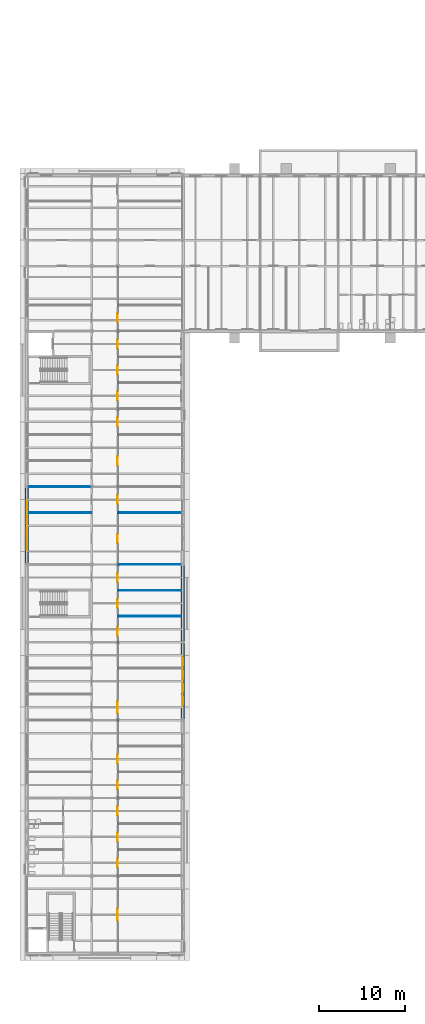
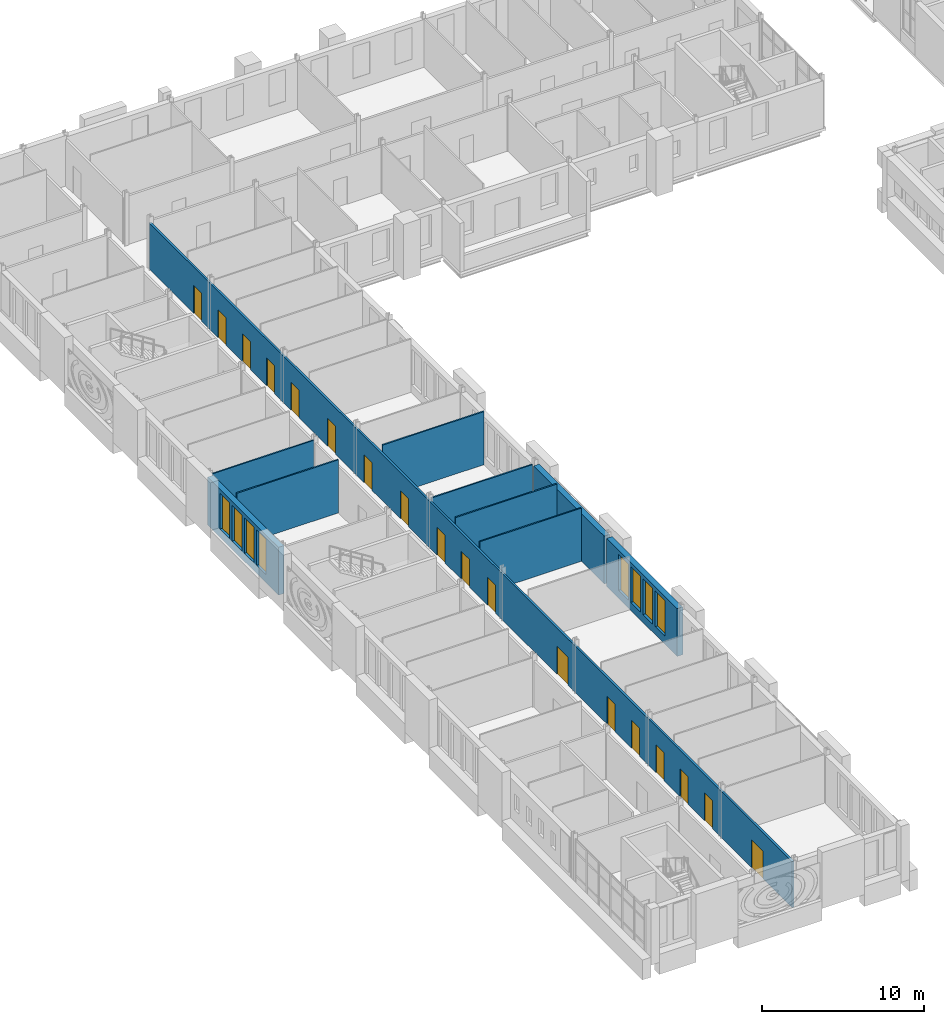
# One storey, part 102 of 154: 18 doors, 10 walls, 8 windows, 26 openings.
"""IFC4 building model written with IfcOpenShell, lengths in metres."""

from ifc_helpers import new_model, si_unit, direction, frame, frame_2d, origin, place, context, subcontext, project, spatial, rectangle, extrude, material, layer, layer_set, type_object, element, fill, save


model = new_model("IFC4")

# Units and contexts
model_context = context("Model", 3, precision=1e-05, world=origin(), true_north=direction((0.0, 1.0)))
body_context = subcontext(model_context, "Body", "Model", "MODEL_VIEW")
ifc_project = project(units=[si_unit("LENGTHUNIT", "METRE"), si_unit("AREAUNIT", "SQUARE_METRE"), si_unit("VOLUMEUNIT", "CUBIC_METRE"), si_unit("PLANEANGLEUNIT", "RADIAN"), si_unit("MASSUNIT", "GRAM", prefix="KILO")], contexts=[model_context])

# Site, building, storey
site_placement = place(None, origin())
site = spatial("IfcSite", under=ifc_project, at=site_placement, CompositionType="ELEMENT")
building_placement = place(site_placement, origin())
building = spatial("IfcBuilding", under=site, at=building_placement, Name="Golden Quay Civic Hall", CompositionType="ELEMENT")
storey_placement = place(building_placement, frame((0.0, 0.0, 14.39990234375)))
storey = spatial("IfcBuildingStorey", under=building, at=storey_placement, Name="L03", CompositionType="ELEMENT", Elevation=14.39990234375)

# Walls
ifc_material_1 = material(Name="Plasterboard on steel studs", Category="steel")
ifc_layer_1 = layer(ifc_material_1, 0.10009765625)
ifc_layer_set_1 = layer_set([ifc_layer_1], Name="Partition 100 stud")
wall_type_1 = type_object("IfcWallType", Name="Partition 100 stud", PredefinedType="PARTITIONING", material=ifc_layer_set_1)
wall_1_placement = place(storey_placement, frame((0.199951171875, 42.0, 0.0), z_axis=(0.0, 0.0, 1.0), x_axis=(1.0, 0.0, 0.0)))
element("IfcWall", 1, at=wall_1_placement, inside=storey, type_object=wall_type_1, Name="Partition L03-007", PredefinedType="PARTITIONING", context=body_context, shape_type="SweptSolid", body=[
    extrude(rectangle(XDim=7.22509765625, YDim=0.10009765625, at=frame_2d((3.612548828125, 0.0))), origin(), (0.0, 0.0, 1.0), 4.0),
])
wall_2_placement = place(storey_placement, frame((0.199951171875, 45.0, 0.0), z_axis=(0.0, 0.0, 1.0), x_axis=(1.0, 0.0, 0.0)))
element("IfcWall", 2, at=wall_2_placement, inside=storey, type_object=wall_type_1, Name="Partition L03-008", PredefinedType="PARTITIONING", context=body_context, shape_type="SweptSolid", body=[
    extrude(rectangle(XDim=7.22509765625, YDim=0.10009765625, at=frame_2d((3.612548828125, 0.0))), origin(), (0.0, 0.0, 1.0), 3.650146484375),
])
for number, where, z_axis, x_axis, name in (
    (3, (10.574951171875, 30.0, 0.0), (0.0, 0.0, 1.0), (1.0, 0.0, 0.0), "Partition L03-019"),
    (4, (10.574951171875, 33.0, 0.0), (0.0, 0.0, 1.0), (1.0, 0.0, 0.0), "Partition L03-020"),
):
    element("IfcWall", number, at=place(storey_placement, frame(where, z_axis=z_axis, x_axis=x_axis)), inside=storey, type_object=wall_type_1, Name=name, PredefinedType="PARTITIONING", context=body_context, shape_type="SweptSolid", body=[
        extrude(rectangle(XDim=7.22509765625, YDim=0.10009765625, at=frame_2d((3.612548828125, 0.0))), origin(), (0.0, 0.0, 1.0), 4.0),
    ])
wall_3_placement = place(storey_placement, frame((10.574951171875, 36.0, 0.0), z_axis=(0.0, 0.0, 1.0), x_axis=(1.0, 0.0, 0.0)))
element("IfcWall", 5, at=wall_3_placement, inside=storey, type_object=wall_type_1, Name="Partition L03-021", PredefinedType="PARTITIONING", context=body_context, shape_type="SweptSolid", body=[
    extrude(rectangle(XDim=7.22509765625, YDim=0.10009765625, at=frame_2d((3.612548828125, 0.0))), origin(), (0.0, 0.0, 1.0), 3.650146484375),
])
wall_4_placement = place(storey_placement, frame((10.574951171875, 42.0, 0.0), z_axis=(0.0, 0.0, 1.0), x_axis=(1.0, 0.0, 0.0)))
element("IfcWall", 6, at=wall_4_placement, inside=storey, type_object=wall_type_1, Name="Partition L03-022", PredefinedType="PARTITIONING", context=body_context, shape_type="SweptSolid", body=[
    extrude(rectangle(XDim=7.22509765625, YDim=0.10009765625, at=frame_2d((3.612548828125, 0.0))), origin(), (0.0, 0.0, 1.0), 4.0),
])

# Wall, openings, doors
ifc_material_2 = material(Name="Plasterboard on steel studs", Category="steel")
ifc_layer_2 = layer(ifc_material_2, 0.14990234375)
ifc_layer_set_2 = layer_set([ifc_layer_2], Name="Partition 150 stud fire EI 60")
wall_type_2 = type_object("IfcWallType", Name="Partition 150 stud fire EI 60", PredefinedType="PARTITIONING", material=ifc_layer_set_2)
wall_5_placement = place(storey_placement, frame((10.5, -8.800048828125, 0.0), z_axis=(0.0, 0.0, 1.0), x_axis=(0.0, 1.0, 0.0)))
wall_5 = element("IfcWall", 7, at=wall_5_placement, inside=storey, type_object=wall_type_2, Name="Partition L03-032", PredefinedType="PARTITIONING", context=body_context, shape_type="SweptSolid", body=[
    extrude(rectangle(XDim=79.300048828125, YDim=0.14990234375, at=frame_2d((39.64990234375, 0.0))), origin(), (0.0, 0.0, 1.0), 3.47998046875),
])
opening_1_placement = place(wall_5_placement, frame((3.60009765625, 0.0, 0.0)))
opening_1 = element("IfcOpeningElement", 8, at=opening_1_placement, cuts=wall_5, Name="Opening L03-D016", PredefinedType="OPENING", context=body_context, shape_type="SweptSolid", body=[
    extrude(rectangle(XDim=1.39990234375, YDim=2.10009765625, at=frame_2d((0.699951171875, 1.050048828125))), frame((0.0, 0.0849609375, 0.0), z_axis=(0.0, -1.0, 0.0), x_axis=(1.0, 0.0, 0.0)), (0.0, 0.0, 1.0), 0.169921875),
])
opening_2_placement = place(wall_5_placement, frame((9.800048828125, 0.0, 0.0)))
opening_2 = element("IfcOpeningElement", 9, at=opening_2_placement, cuts=wall_5, Name="Opening L03-D017", PredefinedType="OPENING", context=body_context, shape_type="SweptSolid", body=[
    extrude(rectangle(XDim=1.0, YDim=2.10009765625, at=frame_2d((0.5, 1.050048828125))), frame((0.0, 0.0849609375, 0.0), z_axis=(0.0, -1.0, 0.0), x_axis=(1.0, 0.0, 0.0)), (0.0, 0.0, 1.0), 0.169921875),
])
opening_3_placement = place(wall_5_placement, frame((12.800048828125, 0.0, 0.0)))
opening_3 = element("IfcOpeningElement", 10, at=opening_3_placement, cuts=wall_5, Name="Opening L03-D018", PredefinedType="OPENING", context=body_context, shape_type="SweptSolid", body=[
    extrude(rectangle(XDim=1.0, YDim=2.10009765625, at=frame_2d((0.5, 1.050048828125))), frame((0.0, 0.0849609375, 0.0), z_axis=(0.0, -1.0, 0.0), x_axis=(1.0, 0.0, 0.0)), (0.0, 0.0, 1.0), 0.169921875),
])
opening_4_placement = place(wall_5_placement, frame((15.800048828125, 0.0, 0.0)))
opening_4 = element("IfcOpeningElement", 11, at=opening_4_placement, cuts=wall_5, Name="Opening L03-D019", PredefinedType="OPENING", context=body_context, shape_type="SweptSolid", body=[
    extrude(rectangle(XDim=1.0, YDim=2.10009765625, at=frame_2d((0.5, 1.050048828125))), frame((0.0, 0.0849609375, 0.0), z_axis=(0.0, -1.0, 0.0), x_axis=(1.0, 0.0, 0.0)), (0.0, 0.0, 1.0), 0.169921875),
])
opening_5_placement = place(wall_5_placement, frame((18.800048828125, 0.0, 0.0)))
opening_5 = element("IfcOpeningElement", 12, at=opening_5_placement, cuts=wall_5, Name="Opening L03-D020", PredefinedType="OPENING", context=body_context, shape_type="SweptSolid", body=[
    extrude(rectangle(XDim=1.0, YDim=2.10009765625, at=frame_2d((0.5, 1.050048828125))), frame((0.0, 0.0849609375, 0.0), z_axis=(0.0, -1.0, 0.0), x_axis=(1.0, 0.0, 0.0)), (0.0, 0.0, 1.0), 0.169921875),
])
opening_6_placement = place(wall_5_placement, frame((21.800048828125, 0.0, 0.0)))
opening_6 = element("IfcOpeningElement", 13, at=opening_6_placement, cuts=wall_5, Name="Opening L03-D021", PredefinedType="OPENING", context=body_context, shape_type="SweptSolid", body=[
    extrude(rectangle(XDim=1.0, YDim=2.10009765625, at=frame_2d((0.5, 1.050048828125))), frame((0.0, 0.0849609375, 0.0), z_axis=(0.0, -1.0, 0.0), x_axis=(1.0, 0.0, 0.0)), (0.0, 0.0, 1.0), 0.169921875),
])
opening_7_placement = place(wall_5_placement, frame((27.60009765625, 0.0, 0.0)))
opening_7 = element("IfcOpeningElement", 14, at=opening_7_placement, cuts=wall_5, Name="Opening L03-D022", PredefinedType="OPENING", context=body_context, shape_type="SweptSolid", body=[
    extrude(rectangle(XDim=1.39990234375, YDim=2.10009765625, at=frame_2d((0.699951171875, 1.050048828125))), frame((0.0, 0.0849609375, 0.0), z_axis=(0.0, -1.0, 0.0), x_axis=(1.0, 0.0, 0.0)), (0.0, 0.0, 1.0), 0.169921875),
])
opening_8_placement = place(wall_5_placement, frame((36.550048828125, 0.0, 0.0)))
opening_8 = element("IfcOpeningElement", 15, at=opening_8_placement, cuts=wall_5, Name="Opening L03-D023", PredefinedType="OPENING", context=body_context, shape_type="SweptSolid", body=[
    extrude(rectangle(XDim=1.0, YDim=2.10009765625, at=frame_2d((0.5, 1.050048828125))), frame((0.0, 0.0849609375, 0.0), z_axis=(0.0, -1.0, 0.0), x_axis=(1.0, 0.0, 0.0)), (0.0, 0.0, 1.0), 0.169921875),
])
opening_9_placement = place(wall_5_placement, frame((39.800048828125, 0.0, 0.0)))
opening_9 = element("IfcOpeningElement", 16, at=opening_9_placement, cuts=wall_5, Name="Opening L03-D024", PredefinedType="OPENING", context=body_context, shape_type="SweptSolid", body=[
    extrude(rectangle(XDim=1.0, YDim=2.10009765625, at=frame_2d((0.5, 1.050048828125))), frame((0.0, 0.0849609375, 0.0), z_axis=(0.0, -1.0, 0.0), x_axis=(1.0, 0.0, 0.0)), (0.0, 0.0, 1.0), 0.169921875),
])
opening_10_placement = place(wall_5_placement, frame((42.800048828125, 0.0, 0.0)))
opening_10 = element("IfcOpeningElement", 17, at=opening_10_placement, cuts=wall_5, Name="Opening L03-D025", PredefinedType="OPENING", context=body_context, shape_type="SweptSolid", body=[
    extrude(rectangle(XDim=1.0, YDim=2.10009765625, at=frame_2d((0.5, 1.050048828125))), frame((0.0, 0.0849609375, 0.0), z_axis=(0.0, -1.0, 0.0), x_axis=(1.0, 0.0, 0.0)), (0.0, 0.0, 1.0), 0.169921875),
])
opening_11_placement = place(wall_5_placement, frame((47.300048828125, 0.0, 0.0)))
opening_11 = element("IfcOpeningElement", 18, at=opening_11_placement, cuts=wall_5, Name="Opening L03-D026", PredefinedType="OPENING", context=body_context, shape_type="SweptSolid", body=[
    extrude(rectangle(XDim=1.0, YDim=2.10009765625, at=frame_2d((0.5, 1.050048828125))), frame((0.0, 0.0849609375, 0.0), z_axis=(0.0, -1.0, 0.0), x_axis=(1.0, 0.0, 0.0)), (0.0, 0.0, 1.0), 0.169921875),
])
opening_12_placement = place(wall_5_placement, frame((51.800048828125, 0.0, 0.0)))
opening_12 = element("IfcOpeningElement", 19, at=opening_12_placement, cuts=wall_5, Name="Opening L03-D027", PredefinedType="OPENING", context=body_context, shape_type="SweptSolid", body=[
    extrude(rectangle(XDim=1.0, YDim=2.10009765625, at=frame_2d((0.5, 1.050048828125))), frame((0.0, 0.0849609375, 0.0), z_axis=(0.0, -1.0, 0.0), x_axis=(1.0, 0.0, 0.0)), (0.0, 0.0, 1.0), 0.169921875),
])
opening_13_placement = place(wall_5_placement, frame((56.300048828125, 0.0, 0.0)))
opening_13 = element("IfcOpeningElement", 20, at=opening_13_placement, cuts=wall_5, Name="Opening L03-D028", PredefinedType="OPENING", context=body_context, shape_type="SweptSolid", body=[
    extrude(rectangle(XDim=1.0, YDim=2.10009765625, at=frame_2d((0.5, 1.050048828125))), frame((0.0, 0.0849609375, 0.0), z_axis=(0.0, -1.0, 0.0), x_axis=(1.0, 0.0, 0.0)), (0.0, 0.0, 1.0), 0.169921875),
])
opening_14_placement = place(wall_5_placement, frame((60.800048828125, 0.0, 0.0)))
opening_14 = element("IfcOpeningElement", 21, at=opening_14_placement, cuts=wall_5, Name="Opening L03-D029", PredefinedType="OPENING", context=body_context, shape_type="SweptSolid", body=[
    extrude(rectangle(XDim=1.0, YDim=2.10009765625, at=frame_2d((0.5, 1.050048828125))), frame((0.0, 0.0849609375, 0.0), z_axis=(0.0, -1.0, 0.0), x_axis=(1.0, 0.0, 0.0)), (0.0, 0.0, 1.0), 0.169921875),
])
opening_15_placement = place(wall_5_placement, frame((63.800048828125, 0.0, 0.0)))
opening_15 = element("IfcOpeningElement", 22, at=opening_15_placement, cuts=wall_5, Name="Opening L03-D030", PredefinedType="OPENING", context=body_context, shape_type="SweptSolid", body=[
    extrude(rectangle(XDim=1.0, YDim=2.10009765625, at=frame_2d((0.5, 1.050048828125))), frame((0.0, 0.0849609375, 0.0), z_axis=(0.0, -1.0, 0.0), x_axis=(1.0, 0.0, 0.0)), (0.0, 0.0, 1.0), 0.169921875),
])
opening_16_placement = place(wall_5_placement, frame((66.800048828125, 0.0, 0.0)))
opening_16 = element("IfcOpeningElement", 23, at=opening_16_placement, cuts=wall_5, Name="Opening L03-D031", PredefinedType="OPENING", context=body_context, shape_type="SweptSolid", body=[
    extrude(rectangle(XDim=1.0, YDim=2.10009765625, at=frame_2d((0.5, 1.050048828125))), frame((0.0, 0.0849609375, 0.0), z_axis=(0.0, -1.0, 0.0), x_axis=(1.0, 0.0, 0.0)), (0.0, 0.0, 1.0), 0.169921875),
])
opening_17_placement = place(wall_5_placement, frame((69.800048828125, 0.0, 0.0)))
opening_17 = element("IfcOpeningElement", 24, at=opening_17_placement, cuts=wall_5, Name="Opening L03-D032", PredefinedType="OPENING", context=body_context, shape_type="SweptSolid", body=[
    extrude(rectangle(XDim=1.0, YDim=2.10009765625, at=frame_2d((0.5, 1.050048828125))), frame((0.0, 0.0849609375, 0.0), z_axis=(0.0, -1.0, 0.0), x_axis=(1.0, 0.0, 0.0)), (0.0, 0.0, 1.0), 0.169921875),
])
opening_18_placement = place(wall_5_placement, frame((72.800048828125, 0.0, 0.0)))
opening_18 = element("IfcOpeningElement", 25, at=opening_18_placement, cuts=wall_5, Name="Opening L03-D047", PredefinedType="OPENING", context=body_context, shape_type="SweptSolid", body=[
    extrude(rectangle(XDim=1.0, YDim=2.10009765625, at=frame_2d((0.5, 1.050048828125))), frame((0.0, 0.0849609375, 0.0), z_axis=(0.0, -1.0, 0.0), x_axis=(1.0, 0.0, 0.0)), (0.0, 0.0, 1.0), 0.169921875),
])
ifc_material_3 = material(Name="Steel", Category="steel")
door_type_1 = type_object("IfcDoorType", Name="Steel double fire door FD30S 1400 x 2100", OperationType="DOUBLE_DOOR_SINGLE_SWING", PredefinedType="DOOR", material=ifc_material_3)
door_1_placement = place(opening_1_placement, frame((1.39990234375, 0.0, 0.0), z_axis=(0.0, 0.0, 1.0), x_axis=(-1.0, 0.0, 0.0)))
door_1 = element("IfcDoor", 26, at=door_1_placement, inside=storey, type_object=door_type_1, Name="Door L03-D016", OperationType="DOUBLE_DOOR_SINGLE_SWING", OverallHeight=2.10009765625, OverallWidth=1.39990234375, PredefinedType="DOOR", context=body_context, shape_type="SweptSolid", body=[
    extrude(rectangle(XDim=1.39990234375, YDim=2.10009765625, at=frame_2d((0.699951171875, 1.050048828125))), frame((0.0, 0.025146484375, 0.0), z_axis=(0.0, -1.0, 0.0), x_axis=(1.0, 0.0, 0.0)), (0.0, 0.0, 1.0), 0.050048828125),
])
fill(opening_1, door_1)
door_2_placement = place(opening_7_placement, frame((1.39990234375, 0.0, 0.0), z_axis=(0.0, 0.0, 1.0), x_axis=(-1.0, 0.0, 0.0)))
door_2 = element("IfcDoor", 27, at=door_2_placement, inside=storey, type_object=door_type_1, Name="Door L03-D022", OperationType="DOUBLE_DOOR_SINGLE_SWING", OverallHeight=2.10009765625, OverallWidth=1.39990234375, PredefinedType="DOOR", context=body_context, shape_type="SweptSolid", body=[
    extrude(rectangle(XDim=1.39990234375, YDim=2.10009765625, at=frame_2d((0.699951171875, 1.050048828125))), frame((0.0, 0.025146484375, 0.0), z_axis=(0.0, -1.0, 0.0), x_axis=(1.0, 0.0, 0.0)), (0.0, 0.0, 1.0), 0.050048828125),
])
fill(opening_7, door_2)
ifc_material_4 = material(Name="Steel", Category="steel")
door_type_2 = type_object("IfcDoorType", Name="Steel fire door FD30S 1000 x 2100", OperationType="SINGLE_SWING_LEFT", PredefinedType="DOOR", material=ifc_material_4)
door_3_placement = place(opening_2_placement, frame((1.0, 0.0, 0.0), z_axis=(0.0, 0.0, 1.0), x_axis=(-1.0, 0.0, 0.0)))
door_3 = element("IfcDoor", 28, at=door_3_placement, inside=storey, type_object=door_type_2, Name="Door L03-D017", OperationType="SINGLE_SWING_RIGHT", OverallHeight=2.10009765625, OverallWidth=1.0, PredefinedType="DOOR", context=body_context, shape_type="SweptSolid", body=[
    extrude(rectangle(XDim=1.0, YDim=2.10009765625, at=frame_2d((0.5, 1.050048828125))), frame((0.0, 0.025146484375, 0.0), z_axis=(0.0, -1.0, 0.0), x_axis=(1.0, 0.0, 0.0)), (0.0, 0.0, 1.0), 0.050048828125),
])
fill(opening_2, door_3)
door_4_placement = place(opening_3_placement, frame((1.0, 0.0, 0.0), z_axis=(0.0, 0.0, 1.0), x_axis=(-1.0, 0.0, 0.0)))
door_4 = element("IfcDoor", 29, at=door_4_placement, inside=storey, type_object=door_type_2, Name="Door L03-D018", OperationType="SINGLE_SWING_RIGHT", OverallHeight=2.10009765625, OverallWidth=1.0, PredefinedType="DOOR", context=body_context, shape_type="SweptSolid", body=[
    extrude(rectangle(XDim=1.0, YDim=2.10009765625, at=frame_2d((0.5, 1.050048828125))), frame((0.0, 0.025146484375, 0.0), z_axis=(0.0, -1.0, 0.0), x_axis=(1.0, 0.0, 0.0)), (0.0, 0.0, 1.0), 0.050048828125),
])
fill(opening_3, door_4)
door_5_placement = place(opening_4_placement, frame((1.0, 0.0, 0.0), z_axis=(0.0, 0.0, 1.0), x_axis=(-1.0, 0.0, 0.0)))
door_5 = element("IfcDoor", 30, at=door_5_placement, inside=storey, type_object=door_type_2, Name="Door L03-D019", OperationType="SINGLE_SWING_RIGHT", OverallHeight=2.10009765625, OverallWidth=1.0, PredefinedType="DOOR", context=body_context, shape_type="SweptSolid", body=[
    extrude(rectangle(XDim=1.0, YDim=2.10009765625, at=frame_2d((0.5, 1.050048828125))), frame((0.0, 0.025146484375, 0.0), z_axis=(0.0, -1.0, 0.0), x_axis=(1.0, 0.0, 0.0)), (0.0, 0.0, 1.0), 0.050048828125),
])
fill(opening_4, door_5)
door_6_placement = place(opening_5_placement, frame((1.0, 0.0, 0.0), z_axis=(0.0, 0.0, 1.0), x_axis=(-1.0, 0.0, 0.0)))
door_6 = element("IfcDoor", 31, at=door_6_placement, inside=storey, type_object=door_type_2, Name="Door L03-D020", OperationType="SINGLE_SWING_RIGHT", OverallHeight=2.10009765625, OverallWidth=1.0, PredefinedType="DOOR", context=body_context, shape_type="SweptSolid", body=[
    extrude(rectangle(XDim=1.0, YDim=2.10009765625, at=frame_2d((0.5, 1.050048828125))), frame((0.0, 0.025146484375, 0.0), z_axis=(0.0, -1.0, 0.0), x_axis=(1.0, 0.0, 0.0)), (0.0, 0.0, 1.0), 0.050048828125),
])
fill(opening_5, door_6)
door_7_placement = place(opening_6_placement, frame((1.0, 0.0, 0.0), z_axis=(0.0, 0.0, 1.0), x_axis=(-1.0, 0.0, 0.0)))
door_7 = element("IfcDoor", 32, at=door_7_placement, inside=storey, type_object=door_type_2, Name="Door L03-D021", OperationType="SINGLE_SWING_RIGHT", OverallHeight=2.10009765625, OverallWidth=1.0, PredefinedType="DOOR", context=body_context, shape_type="SweptSolid", body=[
    extrude(rectangle(XDim=1.0, YDim=2.10009765625, at=frame_2d((0.5, 1.050048828125))), frame((0.0, 0.025146484375, 0.0), z_axis=(0.0, -1.0, 0.0), x_axis=(1.0, 0.0, 0.0)), (0.0, 0.0, 1.0), 0.050048828125),
])
fill(opening_6, door_7)
door_8_placement = place(opening_8_placement, frame((1.0, 0.0, 0.0), z_axis=(0.0, 0.0, 1.0), x_axis=(-1.0, 0.0, 0.0)))
door_8 = element("IfcDoor", 33, at=door_8_placement, inside=storey, type_object=door_type_2, Name="Door L03-D023", OperationType="SINGLE_SWING_RIGHT", OverallHeight=2.10009765625, OverallWidth=1.0, PredefinedType="DOOR", context=body_context, shape_type="SweptSolid", body=[
    extrude(rectangle(XDim=1.0, YDim=2.10009765625, at=frame_2d((0.5, 1.050048828125))), frame((0.0, 0.025146484375, 0.0), z_axis=(0.0, -1.0, 0.0), x_axis=(1.0, 0.0, 0.0)), (0.0, 0.0, 1.0), 0.050048828125),
])
fill(opening_8, door_8)
door_9_placement = place(opening_9_placement, frame((1.0, 0.0, 0.0), z_axis=(0.0, 0.0, 1.0), x_axis=(-1.0, 0.0, 0.0)))
door_9 = element("IfcDoor", 34, at=door_9_placement, inside=storey, type_object=door_type_2, Name="Door L03-D024", OperationType="SINGLE_SWING_RIGHT", OverallHeight=2.10009765625, OverallWidth=1.0, PredefinedType="DOOR", context=body_context, shape_type="SweptSolid", body=[
    extrude(rectangle(XDim=1.0, YDim=2.10009765625, at=frame_2d((0.5, 1.050048828125))), frame((0.0, 0.025146484375, 0.0), z_axis=(0.0, -1.0, 0.0), x_axis=(1.0, 0.0, 0.0)), (0.0, 0.0, 1.0), 0.050048828125),
])
fill(opening_9, door_9)
door_10_placement = place(opening_10_placement, frame((1.0, 0.0, 0.0), z_axis=(0.0, 0.0, 1.0), x_axis=(-1.0, 0.0, 0.0)))
door_10 = element("IfcDoor", 35, at=door_10_placement, inside=storey, type_object=door_type_2, Name="Door L03-D025", OperationType="SINGLE_SWING_RIGHT", OverallHeight=2.10009765625, OverallWidth=1.0, PredefinedType="DOOR", context=body_context, shape_type="SweptSolid", body=[
    extrude(rectangle(XDim=1.0, YDim=2.10009765625, at=frame_2d((0.5, 1.050048828125))), frame((0.0, 0.025146484375, 0.0), z_axis=(0.0, -1.0, 0.0), x_axis=(1.0, 0.0, 0.0)), (0.0, 0.0, 1.0), 0.050048828125),
])
fill(opening_10, door_10)
door_11_placement = place(opening_11_placement, frame((1.0, 0.0, 0.0), z_axis=(0.0, 0.0, 1.0), x_axis=(-1.0, 0.0, 0.0)))
door_11 = element("IfcDoor", 36, at=door_11_placement, inside=storey, type_object=door_type_2, Name="Door L03-D026", OperationType="SINGLE_SWING_RIGHT", OverallHeight=2.10009765625, OverallWidth=1.0, PredefinedType="DOOR", context=body_context, shape_type="SweptSolid", body=[
    extrude(rectangle(XDim=1.0, YDim=2.10009765625, at=frame_2d((0.5, 1.050048828125))), frame((0.0, 0.025146484375, 0.0), z_axis=(0.0, -1.0, 0.0), x_axis=(1.0, 0.0, 0.0)), (0.0, 0.0, 1.0), 0.050048828125),
])
fill(opening_11, door_11)
door_12_placement = place(opening_12_placement, frame((1.0, 0.0, 0.0), z_axis=(0.0, 0.0, 1.0), x_axis=(-1.0, 0.0, 0.0)))
door_12 = element("IfcDoor", 37, at=door_12_placement, inside=storey, type_object=door_type_2, Name="Door L03-D027", OperationType="SINGLE_SWING_RIGHT", OverallHeight=2.10009765625, OverallWidth=1.0, PredefinedType="DOOR", context=body_context, shape_type="SweptSolid", body=[
    extrude(rectangle(XDim=1.0, YDim=2.10009765625, at=frame_2d((0.5, 1.050048828125))), frame((0.0, 0.025146484375, 0.0), z_axis=(0.0, -1.0, 0.0), x_axis=(1.0, 0.0, 0.0)), (0.0, 0.0, 1.0), 0.050048828125),
])
fill(opening_12, door_12)
door_13_placement = place(opening_13_placement, frame((1.0, 0.0, 0.0), z_axis=(0.0, 0.0, 1.0), x_axis=(-1.0, 0.0, 0.0)))
door_13 = element("IfcDoor", 38, at=door_13_placement, inside=storey, type_object=door_type_2, Name="Door L03-D028", OperationType="SINGLE_SWING_RIGHT", OverallHeight=2.10009765625, OverallWidth=1.0, PredefinedType="DOOR", context=body_context, shape_type="SweptSolid", body=[
    extrude(rectangle(XDim=1.0, YDim=2.10009765625, at=frame_2d((0.5, 1.050048828125))), frame((0.0, 0.025146484375, 0.0), z_axis=(0.0, -1.0, 0.0), x_axis=(1.0, 0.0, 0.0)), (0.0, 0.0, 1.0), 0.050048828125),
])
fill(opening_13, door_13)
door_14_placement = place(opening_14_placement, frame((1.0, 0.0, 0.0), z_axis=(0.0, 0.0, 1.0), x_axis=(-1.0, 0.0, 0.0)))
door_14 = element("IfcDoor", 39, at=door_14_placement, inside=storey, type_object=door_type_2, Name="Door L03-D029", OperationType="SINGLE_SWING_RIGHT", OverallHeight=2.10009765625, OverallWidth=1.0, PredefinedType="DOOR", context=body_context, shape_type="SweptSolid", body=[
    extrude(rectangle(XDim=1.0, YDim=2.10009765625, at=frame_2d((0.5, 1.050048828125))), frame((0.0, 0.025146484375, 0.0), z_axis=(0.0, -1.0, 0.0), x_axis=(1.0, 0.0, 0.0)), (0.0, 0.0, 1.0), 0.050048828125),
])
fill(opening_14, door_14)
door_15_placement = place(opening_15_placement, frame((1.0, 0.0, 0.0), z_axis=(0.0, 0.0, 1.0), x_axis=(-1.0, 0.0, 0.0)))
door_15 = element("IfcDoor", 40, at=door_15_placement, inside=storey, type_object=door_type_2, Name="Door L03-D030", OperationType="SINGLE_SWING_RIGHT", OverallHeight=2.10009765625, OverallWidth=1.0, PredefinedType="DOOR", context=body_context, shape_type="SweptSolid", body=[
    extrude(rectangle(XDim=1.0, YDim=2.10009765625, at=frame_2d((0.5, 1.050048828125))), frame((0.0, 0.025146484375, 0.0), z_axis=(0.0, -1.0, 0.0), x_axis=(1.0, 0.0, 0.0)), (0.0, 0.0, 1.0), 0.050048828125),
])
fill(opening_15, door_15)
door_16_placement = place(opening_16_placement, frame((1.0, 0.0, 0.0), z_axis=(0.0, 0.0, 1.0), x_axis=(-1.0, 0.0, 0.0)))
door_16 = element("IfcDoor", 41, at=door_16_placement, inside=storey, type_object=door_type_2, Name="Door L03-D031", OperationType="SINGLE_SWING_RIGHT", OverallHeight=2.10009765625, OverallWidth=1.0, PredefinedType="DOOR", context=body_context, shape_type="SweptSolid", body=[
    extrude(rectangle(XDim=1.0, YDim=2.10009765625, at=frame_2d((0.5, 1.050048828125))), frame((0.0, 0.025146484375, 0.0), z_axis=(0.0, -1.0, 0.0), x_axis=(1.0, 0.0, 0.0)), (0.0, 0.0, 1.0), 0.050048828125),
])
fill(opening_16, door_16)
door_17_placement = place(opening_17_placement, frame((1.0, 0.0, 0.0), z_axis=(0.0, 0.0, 1.0), x_axis=(-1.0, 0.0, 0.0)))
door_17 = element("IfcDoor", 42, at=door_17_placement, inside=storey, type_object=door_type_2, Name="Door L03-D032", OperationType="SINGLE_SWING_RIGHT", OverallHeight=2.10009765625, OverallWidth=1.0, PredefinedType="DOOR", context=body_context, shape_type="SweptSolid", body=[
    extrude(rectangle(XDim=1.0, YDim=2.10009765625, at=frame_2d((0.5, 1.050048828125))), frame((0.0, 0.025146484375, 0.0), z_axis=(0.0, -1.0, 0.0), x_axis=(1.0, 0.0, 0.0)), (0.0, 0.0, 1.0), 0.050048828125),
])
fill(opening_17, door_17)
door_18_placement = place(opening_18_placement, frame((1.0, 0.0, 0.0), z_axis=(0.0, 0.0, 1.0), x_axis=(-1.0, 0.0, 0.0)))
door_18 = element("IfcDoor", 43, at=door_18_placement, inside=storey, type_object=door_type_2, Name="Door L03-D047", OperationType="SINGLE_SWING_RIGHT", OverallHeight=2.10009765625, OverallWidth=1.0, PredefinedType="DOOR", context=body_context, shape_type="SweptSolid", body=[
    extrude(rectangle(XDim=1.0, YDim=2.10009765625, at=frame_2d((0.5, 1.050048828125))), frame((0.0, 0.025146484375, 0.0), z_axis=(0.0, -1.0, 0.0), x_axis=(1.0, 0.0, 0.0)), (0.0, 0.0, 1.0), 0.050048828125),
])
fill(opening_18, door_18)

# Wall, openings, windows
ifc_material_5 = material(Name="Clay block, rendered, cream")
ifc_layer_3 = layer(ifc_material_5, 0.39990234375)
ifc_layer_set_3 = layer_set([ifc_layer_3], Name="Rendered block external wall 400")
wall_type_3 = type_object("IfcWallType", Name="Rendered block external wall 400", PredefinedType="STANDARD", material=ifc_layer_set_3)
wall_6_placement = place(storey_placement, frame((0.0, 36.135009765625, 0.0), z_axis=(0.0, 0.0, 1.0), x_axis=(0.0, 1.0, 0.0)))
wall_6 = element("IfcWall", 44, at=wall_6_placement, inside=storey, type_object=wall_type_3, Name="Rendered block external wall 400 L03 4", PredefinedType="STANDARD", context=body_context, shape_type="SweptSolid", body=[
    extrude(rectangle(XDim=8.72998046875, YDim=0.39990234375, at=frame_2d((4.364990234375, 0.0))), origin(), (0.0, 0.0, 1.0), 3.60009765625),
])
opening_19_placement = place(wall_6_placement, frame((1.514892578125, 0.0, 0.60009765625)))
opening_19 = element("IfcOpeningElement", 45, at=opening_19_placement, cuts=wall_6, Name="Opening WN8", PredefinedType="OPENING", context=body_context, shape_type="SweptSolid", body=[
    extrude(rectangle(XDim=1.199951171875, YDim=2.699951171875, at=frame_2d((0.60009765625, 1.35009765625))), frame((0.0, 0.2099609375, 0.0), z_axis=(0.0, -1.0, 0.0), x_axis=(1.0, 0.0, 0.0)), (0.0, 0.0, 1.0), 0.419921875),
])
opening_20_placement = place(wall_6_placement, frame((3.014892578125, 0.0, 0.60009765625)))
opening_20 = element("IfcOpeningElement", 46, at=opening_20_placement, cuts=wall_6, Name="Opening WN8", PredefinedType="OPENING", context=body_context, shape_type="SweptSolid", body=[
    extrude(rectangle(XDim=1.199951171875, YDim=2.699951171875, at=frame_2d((0.60009765625, 1.35009765625))), frame((0.0, 0.2099609375, 0.0), z_axis=(0.0, -1.0, 0.0), x_axis=(1.0, 0.0, 0.0)), (0.0, 0.0, 1.0), 0.419921875),
])
opening_21_placement = place(wall_6_placement, frame((4.514892578125, 0.0, 0.60009765625)))
opening_21 = element("IfcOpeningElement", 47, at=opening_21_placement, cuts=wall_6, Name="Opening WN8", PredefinedType="OPENING", context=body_context, shape_type="SweptSolid", body=[
    extrude(rectangle(XDim=1.199951171875, YDim=2.699951171875, at=frame_2d((0.60009765625, 1.35009765625))), frame((0.0, 0.2099609375, 0.0), z_axis=(0.0, -1.0, 0.0), x_axis=(1.0, 0.0, 0.0)), (0.0, 0.0, 1.0), 0.419921875),
])
opening_22_placement = place(wall_6_placement, frame((6.014892578125, 0.0, 0.60009765625)))
opening_22 = element("IfcOpeningElement", 48, at=opening_22_placement, cuts=wall_6, Name="Opening WN8", PredefinedType="OPENING", context=body_context, shape_type="SweptSolid", body=[
    extrude(rectangle(XDim=1.199951171875, YDim=2.699951171875, at=frame_2d((0.60009765625, 1.35009765625))), frame((0.0, 0.2099609375, 0.0), z_axis=(0.0, -1.0, 0.0), x_axis=(1.0, 0.0, 0.0)), (0.0, 0.0, 1.0), 0.419921875),
])
ifc_material_6 = material(Name="Aluminium frame, double glazed", Category="aluminium")
window_type = type_object("IfcWindowType", Name="Golden grid window 1200 x 2700", PartitioningType="SINGLE_PANEL", PredefinedType="WINDOW", material=ifc_material_6)
window_1_placement = place(opening_19_placement, origin())
window_1 = element("IfcWindow", 49, at=window_1_placement, inside=storey, type_object=window_type, Name="Golden grid window 1200 x 2700 L03 9", OverallHeight=2.699951171875, OverallWidth=1.199951171875, PartitioningType="SINGLE_PANEL", PredefinedType="WINDOW", context=body_context, shape_type="SweptSolid", body=[
    extrude(rectangle(XDim=1.199951171875, YDim=2.699951171875, at=frame_2d((0.60009765625, 1.35009765625))), frame((0.0, 0.030029296875, 0.0), z_axis=(0.0, -1.0, 0.0), x_axis=(1.0, 0.0, 0.0)), (0.0, 0.0, 1.0), 0.06005859375),
])
fill(opening_19, window_1)
window_2_placement = place(opening_20_placement, origin())
window_2 = element("IfcWindow", 50, at=window_2_placement, inside=storey, type_object=window_type, Name="Golden grid window 1200 x 2700 L03 10", OverallHeight=2.699951171875, OverallWidth=1.199951171875, PartitioningType="SINGLE_PANEL", PredefinedType="WINDOW", context=body_context, shape_type="SweptSolid", body=[
    extrude(rectangle(XDim=1.199951171875, YDim=2.699951171875, at=frame_2d((0.60009765625, 1.35009765625))), frame((0.0, 0.030029296875, 0.0), z_axis=(0.0, -1.0, 0.0), x_axis=(1.0, 0.0, 0.0)), (0.0, 0.0, 1.0), 0.06005859375),
])
fill(opening_20, window_2)
window_3_placement = place(opening_21_placement, origin())
window_3 = element("IfcWindow", 51, at=window_3_placement, inside=storey, type_object=window_type, Name="Golden grid window 1200 x 2700 L03 11", OverallHeight=2.699951171875, OverallWidth=1.199951171875, PartitioningType="SINGLE_PANEL", PredefinedType="WINDOW", context=body_context, shape_type="SweptSolid", body=[
    extrude(rectangle(XDim=1.199951171875, YDim=2.699951171875, at=frame_2d((0.60009765625, 1.35009765625))), frame((0.0, 0.030029296875, 0.0), z_axis=(0.0, -1.0, 0.0), x_axis=(1.0, 0.0, 0.0)), (0.0, 0.0, 1.0), 0.06005859375),
])
fill(opening_21, window_3)
window_4_placement = place(opening_22_placement, origin())
window_4 = element("IfcWindow", 52, at=window_4_placement, inside=storey, type_object=window_type, Name="Golden grid window 1200 x 2700 L03 12", OverallHeight=2.699951171875, OverallWidth=1.199951171875, PartitioningType="SINGLE_PANEL", PredefinedType="WINDOW", context=body_context, shape_type="SweptSolid", body=[
    extrude(rectangle(XDim=1.199951171875, YDim=2.699951171875, at=frame_2d((0.60009765625, 1.35009765625))), frame((0.0, 0.030029296875, 0.0), z_axis=(0.0, -1.0, 0.0), x_axis=(1.0, 0.0, 0.0)), (0.0, 0.0, 1.0), 0.06005859375),
])
fill(opening_22, window_4)

wall_7_placement = place(storey_placement, frame((18.0, 26.864990234375, 0.0), z_axis=(0.0, 0.0, 1.0), x_axis=(0.0, -1.0, 0.0)))
wall_7 = element("IfcWall", 53, at=wall_7_placement, inside=storey, type_object=wall_type_3, Name="Rendered block external wall 400 L03 15", PredefinedType="STANDARD", context=body_context, shape_type="SweptSolid", body=[
    extrude(rectangle(XDim=8.72998046875, YDim=0.39990234375, at=frame_2d((4.364990234375, 0.0))), origin(), (0.0, 0.0, 1.0), 3.60009765625),
])
opening_23_placement = place(wall_7_placement, frame((6.014892578125, 0.0, 0.60009765625)))
opening_23 = element("IfcOpeningElement", 54, at=opening_23_placement, cuts=wall_7, Name="Opening WN8", PredefinedType="OPENING", context=body_context, shape_type="SweptSolid", body=[
    extrude(rectangle(XDim=1.199951171875, YDim=2.699951171875, at=frame_2d((0.60009765625, 1.35009765625))), frame((0.0, 0.2099609375, 0.0), z_axis=(0.0, -1.0, 0.0), x_axis=(1.0, 0.0, 0.0)), (0.0, 0.0, 1.0), 0.419921875),
])
opening_24_placement = place(wall_7_placement, frame((4.514892578125, 0.0, 0.60009765625)))
opening_24 = element("IfcOpeningElement", 55, at=opening_24_placement, cuts=wall_7, Name="Opening WN8", PredefinedType="OPENING", context=body_context, shape_type="SweptSolid", body=[
    extrude(rectangle(XDim=1.199951171875, YDim=2.699951171875, at=frame_2d((0.60009765625, 1.35009765625))), frame((0.0, 0.2099609375, 0.0), z_axis=(0.0, -1.0, 0.0), x_axis=(1.0, 0.0, 0.0)), (0.0, 0.0, 1.0), 0.419921875),
])
opening_25_placement = place(wall_7_placement, frame((3.014892578125, 0.0, 0.60009765625)))
opening_25 = element("IfcOpeningElement", 56, at=opening_25_placement, cuts=wall_7, Name="Opening WN8", PredefinedType="OPENING", context=body_context, shape_type="SweptSolid", body=[
    extrude(rectangle(XDim=1.199951171875, YDim=2.699951171875, at=frame_2d((0.60009765625, 1.35009765625))), frame((0.0, 0.2099609375, 0.0), z_axis=(0.0, -1.0, 0.0), x_axis=(1.0, 0.0, 0.0)), (0.0, 0.0, 1.0), 0.419921875),
])
opening_26_placement = place(wall_7_placement, frame((1.514892578125, 0.0, 0.60009765625)))
opening_26 = element("IfcOpeningElement", 57, at=opening_26_placement, cuts=wall_7, Name="Opening WN8", PredefinedType="OPENING", context=body_context, shape_type="SweptSolid", body=[
    extrude(rectangle(XDim=1.199951171875, YDim=2.699951171875, at=frame_2d((0.60009765625, 1.35009765625))), frame((0.0, 0.2099609375, 0.0), z_axis=(0.0, -1.0, 0.0), x_axis=(1.0, 0.0, 0.0)), (0.0, 0.0, 1.0), 0.419921875),
])
window_5_placement = place(opening_23_placement, origin())
window_5 = element("IfcWindow", 58, at=window_5_placement, inside=storey, type_object=window_type, Name="Golden grid window 1200 x 2700 L03 33", OverallHeight=2.699951171875, OverallWidth=1.199951171875, PartitioningType="SINGLE_PANEL", PredefinedType="WINDOW", context=body_context, shape_type="SweptSolid", body=[
    extrude(rectangle(XDim=1.199951171875, YDim=2.699951171875, at=frame_2d((0.60009765625, 1.35009765625))), frame((0.0, 0.030029296875, 0.0), z_axis=(0.0, -1.0, 0.0), x_axis=(1.0, 0.0, 0.0)), (0.0, 0.0, 1.0), 0.06005859375),
])
fill(opening_23, window_5)
window_6_placement = place(opening_24_placement, origin())
window_6 = element("IfcWindow", 59, at=window_6_placement, inside=storey, type_object=window_type, Name="Golden grid window 1200 x 2700 L03 34", OverallHeight=2.699951171875, OverallWidth=1.199951171875, PartitioningType="SINGLE_PANEL", PredefinedType="WINDOW", context=body_context, shape_type="SweptSolid", body=[
    extrude(rectangle(XDim=1.199951171875, YDim=2.699951171875, at=frame_2d((0.60009765625, 1.35009765625))), frame((0.0, 0.030029296875, 0.0), z_axis=(0.0, -1.0, 0.0), x_axis=(1.0, 0.0, 0.0)), (0.0, 0.0, 1.0), 0.06005859375),
])
fill(opening_24, window_6)
window_7_placement = place(opening_25_placement, origin())
window_7 = element("IfcWindow", 60, at=window_7_placement, inside=storey, type_object=window_type, Name="Golden grid window 1200 x 2700 L03 35", OverallHeight=2.699951171875, OverallWidth=1.199951171875, PartitioningType="SINGLE_PANEL", PredefinedType="WINDOW", context=body_context, shape_type="SweptSolid", body=[
    extrude(rectangle(XDim=1.199951171875, YDim=2.699951171875, at=frame_2d((0.60009765625, 1.35009765625))), frame((0.0, 0.030029296875, 0.0), z_axis=(0.0, -1.0, 0.0), x_axis=(1.0, 0.0, 0.0)), (0.0, 0.0, 1.0), 0.06005859375),
])
fill(opening_25, window_7)
window_8_placement = place(opening_26_placement, origin())
window_8 = element("IfcWindow", 61, at=window_8_placement, inside=storey, type_object=window_type, Name="Golden grid window 1200 x 2700 L03 36", OverallHeight=2.699951171875, OverallWidth=1.199951171875, PartitioningType="SINGLE_PANEL", PredefinedType="WINDOW", context=body_context, shape_type="SweptSolid", body=[
    extrude(rectangle(XDim=1.199951171875, YDim=2.699951171875, at=frame_2d((0.60009765625, 1.35009765625))), frame((0.0, 0.030029296875, 0.0), z_axis=(0.0, -1.0, 0.0), x_axis=(1.0, 0.0, 0.0)), (0.0, 0.0, 1.0), 0.06005859375),
])
fill(opening_26, window_8)

# Wall
wall_8_placement = place(storey_placement, frame((18.0, 35.864990234375, 0.0), z_axis=(0.0, 0.0, 1.0), x_axis=(0.0, -1.0, 0.0)))
element("IfcWall", 62, at=wall_8_placement, inside=storey, type_object=wall_type_3, Name="Rendered block external wall 400 L03 16", PredefinedType="STANDARD", context=body_context, shape_type="SweptSolid", body=[
    extrude(rectangle(XDim=8.72998046875, YDim=0.39990234375, at=frame_2d((4.364990234375, 0.0))), origin(), (0.0, 0.0, 1.0), 3.60009765625),
])

save(model, "model.ifc")
